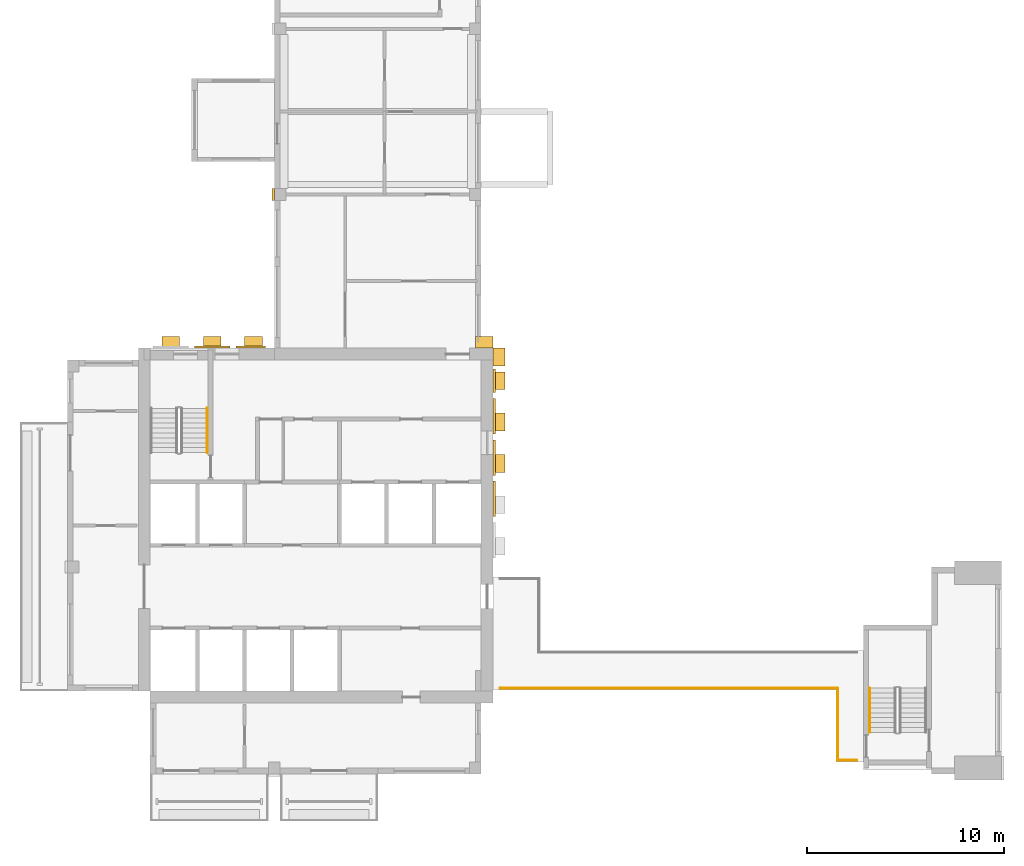
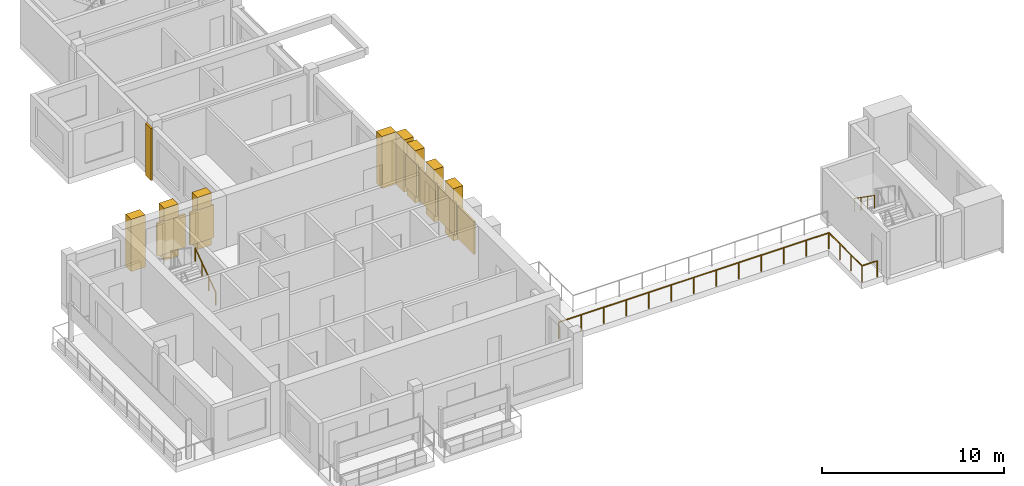
# One storey, part 6 of 8: 15 coverings, 5 railings.
"""IFC4 building model written with IfcOpenShell, lengths in metres."""

from ifc_helpers import new_model, si_unit, direction, frame, origin, origin_2d, place, context, subcontext, project, spatial, rectangle, circle, extrude, source, transform, mapped, material, type_object, element, save


model = new_model("IFC4")

# Units and contexts
model_context = context("Model", 3, precision=1e-05, world=origin(), true_north=direction((0.0, 1.0)))
body_context = subcontext(model_context, "Body", "Model", "MODEL_VIEW")
ifc_project = project(units=[si_unit("LENGTHUNIT", "METRE"), si_unit("AREAUNIT", "SQUARE_METRE"), si_unit("VOLUMEUNIT", "CUBIC_METRE"), si_unit("PLANEANGLEUNIT", "RADIAN"), si_unit("MASSUNIT", "GRAM", prefix="KILO")], contexts=[model_context])

# Site, building, storey
site_placement = place(None, origin())
site = spatial("IfcSite", under=ifc_project, at=site_placement, CompositionType="ELEMENT")
building_placement = place(site_placement, origin())
building = spatial("IfcBuilding", under=site, at=building_placement, Name="Aurelian Terraces", CompositionType="ELEMENT")
storey_placement = place(building_placement, frame((0.0, 0.0, 347.5)))
storey = spatial("IfcBuildingStorey", under=building, at=storey_placement, Name="L82", CompositionType="ELEMENT", Elevation=347.5)

# Railing
ifc_material_1 = material(Name="Anodised aluminium", Category="aluminium")
railing_type_1 = type_object("IfcRailingType", Name="GUARD-1100", PredefinedType="GUARDRAIL", material=ifc_material_1)
railing_1_placement = place(storey_placement, frame((39.09, 0.69, 0.0)))
element("IfcRailing", 1, at=railing_1_placement, inside=storey, type_object=railing_type_1, Name="Terrace guard L82 PORTAL-B82.2", PredefinedType="GUARDRAIL", context=body_context, shape_type="SweptSolid", body=[
    extrude(circle(Radius=0.024, at=origin_2d()), frame((0.0, 0.0, 1.076), z_axis=(0.0, 1.0, 0.0), x_axis=(-1.0, 0.0, 0.0)), (0.0, 0.0, 1.0), 3.65),
    extrude(circle(Radius=0.021, at=origin_2d()), origin(), (0.0, 0.0, 1.0), 1.052),
    extrude(circle(Radius=0.021, at=origin_2d()), frame((0.0, 1.2167, 0.0)), (0.0, 0.0, 1.0), 1.052),
    extrude(circle(Radius=0.021, at=origin_2d()), frame((0.0, 2.4333, 0.0)), (0.0, 0.0, 1.0), 1.052),
    extrude(circle(Radius=0.021, at=origin_2d()), frame((0.0, 3.65, 0.0)), (0.0, 0.0, 1.0), 1.052),
])

# Coverings
ifc_material_2 = material(Name="Terracotta rainscreen cladding louvre blades", Category="masonry")
covering_type_1 = type_object("IfcCoveringType", Name="LOUVRE-TC", PredefinedType="CLADDING", material=ifc_material_2)
shared_shape_1 = source(origin(), body_context, "Body", "SweptSolid", [
    extrude(rectangle(XDim=0.12, YDim=1.8, at=origin_2d()), origin(), (0.0, 0.0, 1.0), 2.2),
])
for number, where, z_axis, x_axis, name in (
    (2, (21.66, 13.95, 0.45), (0.0, 0.0, 1.0), (1.0, 0.0, 0.0), "LOUVRE L82 core face E.2"),
    (3, (21.66, 16.05, 0.45), (0.0, 0.0, 1.0), (1.0, 0.0, 0.0), "LOUVRE L82 core face E.3"),
    (4, (21.66, 18.15, 0.45), (0.0, 0.0, 1.0), (1.0, 0.0, 0.0), "LOUVRE L82 core face E.4"),
):
    element("IfcCovering", number, at=place(storey_placement, frame(where, z_axis=z_axis, x_axis=x_axis)), inside=storey, type_object=covering_type_1, Name=name, PredefinedType="CLADDING", context=body_context, shape_type="MappedRepresentation", body=[
        mapped(shared_shape_1, transform((0.0, 0.0, 0.0), scale=1.0)),
    ])
shared_shape_2 = source(origin(), body_context, "Body", "SweptSolid", [
    extrude(rectangle(XDim=1.8, YDim=0.12, at=origin_2d()), origin(), (0.0, 0.0, 1.0), 2.2),
])
covering_1_placement = place(storey_placement, frame((7.35, 21.66, 0.45), z_axis=(0.0, 0.0, 1.0), x_axis=(1.0, 0.0, 0.0)))
element("IfcCovering", 5, at=covering_1_placement, inside=storey, type_object=covering_type_1, Name="LOUVRE L82 core face N.2", PredefinedType="CLADDING", context=body_context, shape_type="MappedRepresentation", body=[
    mapped(shared_shape_2, transform((0.0, 0.0, 0.0), scale=1.0)),
])
shared_shape_3 = source(origin(), body_context, "Body", "SweptSolid", [
    extrude(rectangle(XDim=0.12, YDim=1.2, at=origin_2d()), origin(), (0.0, 0.0, 1.0), 2.2),
])
covering_2_placement = place(storey_placement, frame((21.66, 19.95, 0.45), z_axis=(0.0, 0.0, 1.0), x_axis=(1.0, 0.0, 0.0)))
element("IfcCovering", 6, at=covering_2_placement, inside=storey, type_object=covering_type_1, Name="LOUVRE L82 core face E.5", PredefinedType="CLADDING", context=body_context, shape_type="MappedRepresentation", body=[
    mapped(shared_shape_3, transform((0.0, 0.0, 0.0), scale=1.0)),
])
shared_shape_4 = source(origin(), body_context, "Body", "SweptSolid", [
    extrude(rectangle(XDim=1.5, YDim=0.12, at=origin_2d()), origin(), (0.0, 0.0, 1.0), 2.2),
])
covering_3_placement = place(storey_placement, frame((9.3, 21.66, 0.45), z_axis=(0.0, 0.0, 1.0), x_axis=(1.0, 0.0, 0.0)))
element("IfcCovering", 7, at=covering_3_placement, inside=storey, type_object=covering_type_1, Name="LOUVRE L82 core face N.3", PredefinedType="CLADDING", context=body_context, shape_type="MappedRepresentation", body=[
    mapped(shared_shape_4, transform((0.0, 0.0, 0.0), scale=1.0)),
])
ifc_material_3 = material(Name="Terracotta rainscreen cladding relief", Category="masonry")
covering_type_2 = type_object("IfcCoveringType", Name="BAGUETTE-TC", PredefinedType="CLADDING", material=ifc_material_3)
shared_shape_5 = source(origin(), body_context, "Body", "SweptSolid", [
    extrude(rectangle(XDim=0.12, YDim=0.6, at=origin_2d()), origin(), (0.0, 0.0, 1.0), 3.5),
])
covering_4_placement = place(storey_placement, frame((10.44, 29.4, -0.4), z_axis=(0.0, 0.0, 1.0), x_axis=(1.0, 0.0, 0.0)))
element("IfcCovering", 8, at=covering_4_placement, inside=storey, type_object=covering_type_2, Name="BAGUETTE pier L82 4", PredefinedType="CLADDING", context=body_context, shape_type="MappedRepresentation", body=[
    mapped(shared_shape_5, transform((0.0, 0.0, 0.0), scale=1.0)),
])

# Railings
shared_shape_6 = source(origin(), body_context, "Body", "SweptSolid", [
    extrude(circle(Radius=0.024, at=origin_2d()), frame((0.0, 0.0, 1.076), z_axis=(-1.0, 0.0, 0.0), x_axis=(0.0, -1.0, 0.0)), (0.0, 0.0, 1.0), 0.96),
    extrude(circle(Radius=0.021, at=origin_2d()), origin(), (0.0, 0.0, 1.0), 1.052),
    extrude(circle(Radius=0.021, at=origin_2d()), frame((-0.96, 0.0, 0.0)), (0.0, 0.0, 1.0), 1.052),
])
railing_2_placement = place(storey_placement, frame((40.05, 0.69, 0.0)))
element("IfcRailing", 9, at=railing_2_placement, inside=storey, type_object=railing_type_1, Name="Terrace guard L82 PORTAL-B82.1", PredefinedType="GUARDRAIL", context=body_context, shape_type="MappedRepresentation", body=[
    mapped(shared_shape_6, transform((0.0, 0.0, 0.0), scale=1.0)),
])
shared_shape_7 = source(origin(), body_context, "Body", "SweptSolid", [
    extrude(circle(Radius=0.024, at=origin_2d()), frame((0.0, 0.0, 1.076), z_axis=(-1.0, 0.0, 0.0), x_axis=(0.0, -1.0, 0.0)), (0.0, 0.0, 1.0), 17.14),
    extrude(circle(Radius=0.021, at=origin_2d()), origin(), (0.0, 0.0, 1.0), 1.052),
    extrude(circle(Radius=0.021, at=origin_2d()), frame((-1.4283, 0.0, 0.0)), (0.0, 0.0, 1.0), 1.052),
    extrude(circle(Radius=0.021, at=origin_2d()), frame((-2.8567, 0.0, 0.0)), (0.0, 0.0, 1.0), 1.052),
    extrude(circle(Radius=0.021, at=origin_2d()), frame((-4.285, 0.0, 0.0)), (0.0, 0.0, 1.0), 1.052),
    extrude(circle(Radius=0.021, at=origin_2d()), frame((-5.7133, 0.0, 0.0)), (0.0, 0.0, 1.0), 1.052),
    extrude(circle(Radius=0.021, at=origin_2d()), frame((-7.1417, 0.0, 0.0)), (0.0, 0.0, 1.0), 1.052),
    extrude(circle(Radius=0.021, at=origin_2d()), frame((-8.57, 0.0, 0.0)), (0.0, 0.0, 1.0), 1.052),
    extrude(circle(Radius=0.021, at=origin_2d()), frame((-9.9983, 0.0, 0.0)), (0.0, 0.0, 1.0), 1.052),
    extrude(circle(Radius=0.021, at=origin_2d()), frame((-11.4267, 0.0, 0.0)), (0.0, 0.0, 1.0), 1.052),
    extrude(circle(Radius=0.021, at=origin_2d()), frame((-12.855, 0.0, 0.0)), (0.0, 0.0, 1.0), 1.052),
    extrude(circle(Radius=0.021, at=origin_2d()), frame((-14.2833, 0.0, 0.0)), (0.0, 0.0, 1.0), 1.052),
    extrude(circle(Radius=0.021, at=origin_2d()), frame((-15.7117, 0.0, 0.0)), (0.0, 0.0, 1.0), 1.052),
    extrude(circle(Radius=0.021, at=origin_2d()), frame((-17.14, 0.0, 0.0)), (0.0, 0.0, 1.0), 1.052),
])
railing_3_placement = place(storey_placement, frame((39.09, 4.34, 0.0)))
element("IfcRailing", 10, at=railing_3_placement, inside=storey, type_object=railing_type_1, Name="Terrace guard L82 PORTAL-B82.3", PredefinedType="GUARDRAIL", context=body_context, shape_type="MappedRepresentation", body=[
    mapped(shared_shape_7, transform((0.0, 0.0, 0.0), scale=1.0)),
])
ifc_material_4 = material(Name="Stainless steel", Category="steel")
railing_type_2 = type_object("IfcRailingType", Name="Stair handrail", PredefinedType="HANDRAIL", material=ifc_material_4)
shared_shape_8 = source(origin(), body_context, "Body", "SweptSolid", [
    extrude(circle(Radius=0.024, at=origin_2d()), frame((0.0, 0.0, 0.876), z_axis=(0.0, 0.819231920519, 0.573462344363), x_axis=(-1.0, 0.0, 0.0)), (0.0, 0.0, 1.0), 2.7465),
    extrude(circle(Radius=0.021, at=origin_2d()), origin(), (0.0, 0.0, 1.0), 0.852),
    extrude(circle(Radius=0.021, at=origin_2d()), frame((0.0, 0.75, 0.525)), (0.0, 0.0, 1.0), 0.852),
    extrude(circle(Radius=0.021, at=origin_2d()), frame((0.0, 1.5, 1.05)), (0.0, 0.0, 1.0), 0.852),
    extrude(circle(Radius=0.021, at=origin_2d()), frame((0.0, 2.25, 1.575)), (0.0, 0.0, 1.0), 0.852),
])
railing_4_placement = place(storey_placement, frame((7.1, 16.3, 0.175)))
element("IfcRailing", 11, at=railing_4_placement, inside=storey, type_object=railing_type_2, Name="L82 S1 stair handrail 1", PredefinedType="HANDRAIL", context=body_context, shape_type="MappedRepresentation", body=[
    mapped(shared_shape_8, transform((0.0, 0.0, 0.0), scale=1.0)),
])
shared_shape_9 = source(origin(), body_context, "Body", "SweptSolid", [
    extrude(circle(Radius=0.024, at=origin_2d()), frame((0.0, 0.0, 0.876), z_axis=(0.0, -0.819231920519, 0.573462344363), x_axis=(1.0, 0.0, 0.0)), (0.0, 0.0, 1.0), 2.7465),
    extrude(circle(Radius=0.021, at=origin_2d()), origin(), (0.0, 0.0, 1.0), 0.852),
    extrude(circle(Radius=0.021, at=origin_2d()), frame((0.0, -0.75, 0.525)), (0.0, 0.0, 1.0), 0.852),
    extrude(circle(Radius=0.021, at=origin_2d()), frame((0.0, -1.5, 1.05)), (0.0, 0.0, 1.0), 0.852),
    extrude(circle(Radius=0.021, at=origin_2d()), frame((0.0, -2.25, 1.575)), (0.0, 0.0, 1.0), 0.852),
])
railing_5_placement = place(storey_placement, frame((40.7, 4.35, 1.925)))
element("IfcRailing", 12, at=railing_5_placement, inside=storey, type_object=railing_type_2, Name="L82 S2 stair handrail 2", PredefinedType="HANDRAIL", context=body_context, shape_type="MappedRepresentation", body=[
    mapped(shared_shape_9, transform((0.0, 0.0, 0.0), scale=1.0)),
])

# Coverings
covering_type_3 = type_object("IfcCoveringType", Name="Core spine pier 900x600", PredefinedType="CLADDING", material=ifc_material_3)
shared_shape_10 = source(origin(), body_context, "Body", "SweptSolid", [
    extrude(rectangle(XDim=0.6, YDim=0.9, at=origin_2d()), origin(), (0.0, 0.0, 1.0), 3.5),
])
for number, where, z_axis, x_axis, name in (
    (13, (21.9, 15.75, 0.0), (0.0, 0.0, 1.0), (1.0, 0.0, 0.0), "Spine pier L82 E6"),
    (14, (21.9, 17.85, 0.0), (0.0, 0.0, 1.0), (1.0, 0.0, 0.0), "Spine pier L82 E7"),
    (15, (21.9, 19.95, 0.0), (0.0, 0.0, 1.0), (1.0, 0.0, 0.0), "Spine pier L82 E8"),
    (16, (21.9, 21.15, 0.0), (0.0, 0.0, 1.0), (1.0, 0.0, 0.0), "Spine pier L82 corner east"),
):
    element("IfcCovering", number, at=place(storey_placement, frame(where, z_axis=z_axis, x_axis=x_axis)), inside=storey, type_object=covering_type_3, Name=name, PredefinedType="CLADDING", context=body_context, shape_type="MappedRepresentation", body=[
        mapped(shared_shape_10, transform((0.0, 0.0, 0.0), scale=1.0)),
    ])
shared_shape_11 = source(origin(), body_context, "Body", "SweptSolid", [
    extrude(rectangle(XDim=0.9, YDim=0.6, at=origin_2d()), origin(), (0.0, 0.0, 1.0), 3.5),
])
for number, where, z_axis, x_axis, name in (
    (17, (5.25, 21.9, 0.0), (0.0, 0.0, 1.0), (1.0, 0.0, 0.0), "Spine pier L82 N9"),
    (18, (7.35, 21.9, 0.0), (0.0, 0.0, 1.0), (1.0, 0.0, 0.0), "Spine pier L82 N10"),
    (19, (9.45, 21.9, 0.0), (0.0, 0.0, 1.0), (1.0, 0.0, 0.0), "Spine pier L82 N11"),
    (20, (21.15, 21.9, 0.0), (0.0, 0.0, 1.0), (1.0, 0.0, 0.0), "Spine pier L82 corner north"),
):
    element("IfcCovering", number, at=place(storey_placement, frame(where, z_axis=z_axis, x_axis=x_axis)), inside=storey, type_object=covering_type_3, Name=name, PredefinedType="CLADDING", context=body_context, shape_type="MappedRepresentation", body=[
        mapped(shared_shape_11, transform((0.0, 0.0, 0.0), scale=1.0)),
    ])

save(model, "model.ifc")
